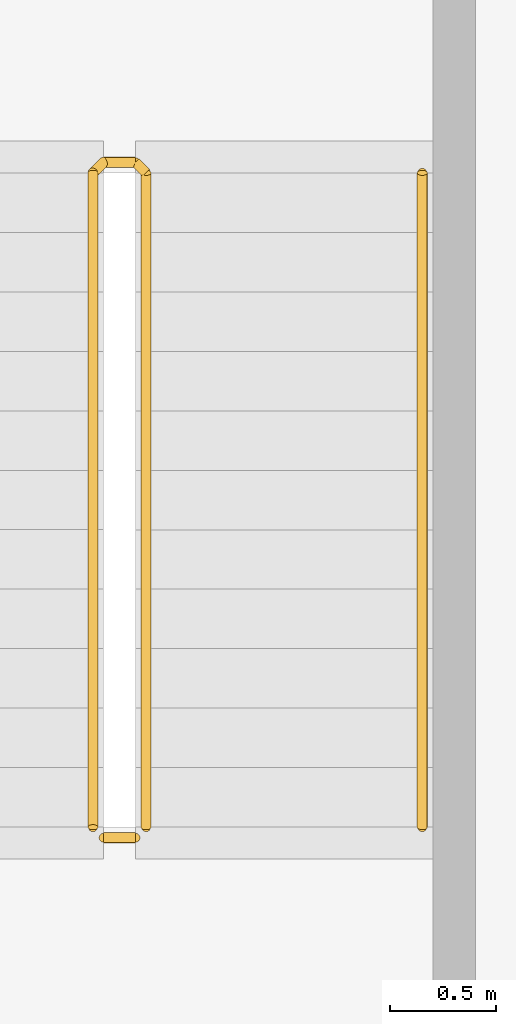
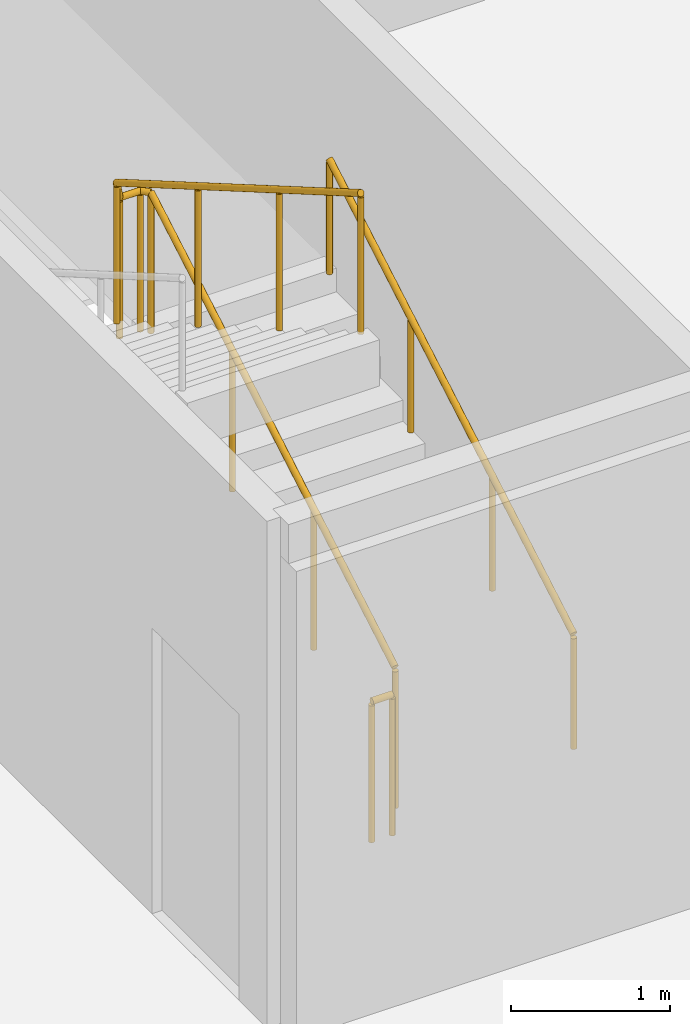
# One storey, part 29 of 30: 3 railings.
"""IFC4 building model written with IfcOpenShell, lengths in metres."""

import ifcopenshell
import ifcopenshell.guid

model = None  # the IFC model being written
_history = None  # IfcOwnerHistory: only IFC2X3 demands one
_inside = {}  # id of a spatial element -> (the spatial element, [elements in it])
_under = {}  # id of a project, library or spatial element -> (it, [spatial elements below it])
_declared = {}  # id of a project -> (the project, [libraries it declares])
_typed = {}  # id of a type object -> (the type object, [elements of that type])
_made_of = {}  # id of a material, layer set ... -> (it, [elements and type objects made of it])


def new_model(schema):
    """Start an empty IFC model of exactly this schema.

    Asked for "IFC4X3", IfcOpenShell would pick the latest addendum, in which some entities
    have other attributes; the version numbers below select the first issue.
    IFC2X3 requires an IfcOwnerHistory on every rooted entity: one is made here for all.
    """
    global model, _history
    if schema == "IFC4X3":
        model = ifcopenshell.file(schema_version=(4, 3, 0, 0))
    else:
        model = ifcopenshell.file(schema=schema)
    _inside.clear()
    _under.clear()
    _declared.clear()
    _typed.clear()
    _made_of.clear()
    _history = None
    if model.schema == "IFC2X3":
        org = make("IfcOrganization", Name="unknown")
        user = make(
            "IfcPersonAndOrganization",
            ThePerson=make("IfcPerson", FamilyName="unknown"),
            TheOrganization=org,
        )
        app = make(
            "IfcApplication",
            ApplicationDeveloper=org,
            Version="unknown",
            ApplicationFullName="unknown",
            ApplicationIdentifier="unknown",
        )
        _history = make(
            "IfcOwnerHistory",
            OwningUser=user,
            OwningApplication=app,
            ChangeAction="ADDED",
            CreationDate=0,
        )
    return model


def make(cls, **values):
    """One entity of the class cls with the attributes given. An attribute that is None is left unset."""
    return model.create_entity(
        cls, **{name: value for name, value in values.items() if value is not None}
    )


def rooted(cls, **values):
    """An entity with a GlobalId (a new one), such as an element, a storey or a relation."""
    return make(cls, GlobalId=ifcopenshell.guid.new(), OwnerHistory=_history, **values)


def si_unit(unit_type, name, prefix=None):
    """IfcSIUnit, for example si_unit("LENGTHUNIT", "METRE", prefix="MILLI")."""
    return make("IfcSIUnit", UnitType=unit_type, Prefix=prefix, Name=name)


def assignment(units):
    """IfcUnitAssignment: the units of a project."""
    return None if units is None else make("IfcUnitAssignment", Units=units)


def point(xyz):
    """IfcCartesianPoint."""
    return None if xyz is None else make("IfcCartesianPoint", Coordinates=xyz)


def direction(xyz):
    """IfcDirection."""
    return None if xyz is None else make("IfcDirection", DirectionRatios=xyz)


def frame(location, z_axis=None, x_axis=None):
    """IfcAxis2Placement3D, a coordinate frame: its origin and axes. An axis left out is left unset."""
    return make(
        "IfcAxis2Placement3D",
        Location=point(location),
        Axis=direction(z_axis),
        RefDirection=direction(x_axis),
    )


def frame_2d(location, x_axis=None):
    """IfcAxis2Placement2D, a coordinate frame in the plane: its origin and x axis."""
    return make(
        "IfcAxis2Placement2D", Location=point(location), RefDirection=direction(x_axis)
    )


def origin():
    """The frame at (0, 0, 0) with its axes left unset."""
    return frame((0.0, 0.0, 0.0))


def origin_2d():
    """The frame at (0, 0) in the plane with its x axis left unset."""
    return frame_2d((0.0, 0.0))


def place(relative_to, where):
    """IfcLocalPlacement: puts the frame where relative to a parent placement (None: the world)."""
    return make(
        "IfcLocalPlacement", PlacementRelTo=relative_to, RelativePlacement=where
    )


def context(
    kind, dimensions, precision=None, world=None, true_north=None, identifier=None
):
    """IfcGeometricRepresentationContext, for example the 3D "Model" context."""
    return make(
        "IfcGeometricRepresentationContext",
        ContextIdentifier=identifier,
        ContextType=kind,
        CoordinateSpaceDimension=dimensions,
        Precision=precision,
        WorldCoordinateSystem=world,
        TrueNorth=true_north,
    )


def subcontext(parent, identifier, kind, view, scale=None):
    """IfcGeometricRepresentationSubContext, for example "Body" below "Model"."""
    return make(
        "IfcGeometricRepresentationSubContext",
        ContextIdentifier=identifier,
        ContextType=kind,
        ParentContext=parent,
        TargetScale=scale,
        TargetView=view,
    )


def project(units=None, contexts=None):
    """IfcProject with its units and contexts."""
    return rooted(
        "IfcProject",
        Name="project",
        RepresentationContexts=contexts,
        UnitsInContext=assignment(units),
    )


def spatial(cls, under=None, at=None, **own):
    """A site, building, storey or space (cls), placed at a placement, below another one or the project."""
    s = rooted(cls, ObjectPlacement=at, **own)
    if under is not None:
        _under.setdefault(under.id(), (under, []))[1].append(s)
    return s


def profile(cls, at=None, kind="AREA", **sizes):
    """A parametric profile (cls). Its sizes go by their IFC names, for example OverallWidth=200.0."""
    return make(cls, ProfileType=kind, Position=at, **sizes)


def circle(**sizes):
    """IfcCircleProfileDef."""
    return profile("IfcCircleProfileDef", **sizes)


def extrude(swept, where, along, depth):
    """IfcExtrudedAreaSolid: the profile swept, set in the frame where, extruded along a direction by depth."""
    return make(
        "IfcExtrudedAreaSolid",
        SweptArea=swept,
        Position=where,
        ExtrudedDirection=direction(along),
        Depth=depth,
    )


def shape(context_of_items, identifier, shape_type, items):
    """IfcShapeRepresentation: the items that make up one representation, for example the "Body"."""
    return make(
        "IfcShapeRepresentation",
        ContextOfItems=context_of_items,
        RepresentationIdentifier=identifier,
        RepresentationType=shape_type,
        Items=items,
    )


def material(Name=None, Category=None):
    """IfcMaterial."""
    return make("IfcMaterial", Name=Name, Category=Category)


def made_of(thing, what):
    """Note that an element or type object is made of a material, layer set ...; save() writes the relation."""
    if what is not None:
        _made_of.setdefault(what.id(), (what, []))[1].append(thing)
    return thing


def type_object(cls, material=None, **own):
    """A type object (cls), such as IfcWallType, which elements share."""
    return made_of(rooted(cls, **own), material)


def element(
    cls,
    number,
    at=None,
    inside=None,
    cuts=None,
    type_object=None,
    material=None,
    context=None,
    identifier="Body",
    shape_type=None,
    held_by="IfcProductDefinitionShape",
    body=None,
    shapes=None,
    **own,
):
    """One element of the class cls, such as IfcWall. Its Tag is "e" and its number.

    at: its placement. inside: the storey or other place that contains it. cuts: it is an
    opening in that element (IfcRelVoidsElement). A single representation is given by context,
    identifier, shape_type and body (its items); several are given by shapes. held_by: the class
    of the entity that holds the representations. save() writes the other relations.
    """
    e = rooted(cls, Tag="e%d" % number, ObjectPlacement=at, **own)
    if body is not None:
        shapes = [shape(context, identifier, shape_type, body)]
    if shapes is not None:
        e.Representation = make(held_by, Representations=shapes)
    if inside is not None:
        _inside.setdefault(inside.id(), (inside, []))[1].append(e)
    if cuts is not None:
        rooted(
            "IfcRelVoidsElement", RelatingBuildingElement=cuts, RelatedOpeningElement=e
        )
    if type_object is not None:
        _typed.setdefault(type_object.id(), (type_object, []))[1].append(e)
    return made_of(e, material)


def aggregate(whole, parts):
    """IfcRelAggregates: a whole, such as a stair, and the parts it consists of."""
    return rooted("IfcRelAggregates", RelatingObject=whole, RelatedObjects=parts)


def save(model, path):
    """Write the relations noted so far, then the file.

    IfcRelAggregates (storeys below a building ...), IfcRelContainedInSpatialStructure (elements
    in a storey), IfcRelDefinesByType, IfcRelAssociatesMaterial and IfcRelDeclares: one each for
    every whole, place, type object, material and project.
    """
    for whole, parts in _under.values():
        aggregate(whole, parts)
    for where, things in _inside.values():
        rooted(
            "IfcRelContainedInSpatialStructure",
            RelatedElements=things,
            RelatingStructure=where,
        )
    for kind, things in _typed.values():
        rooted("IfcRelDefinesByType", RelatedObjects=things, RelatingType=kind)
    for what, things in _made_of.values():
        rooted("IfcRelAssociatesMaterial", RelatedObjects=things, RelatingMaterial=what)
    for by, libraries in _declared.values():
        rooted("IfcRelDeclares", RelatingContext=by, RelatedDefinitions=libraries)
    model.write(path)


model = new_model("IFC4")

# Units and contexts
model_context = context("Model", 3, precision=1e-05, world=origin(), true_north=direction((0.0, 1.0)))
body_context = subcontext(model_context, "Body", "Model", "MODEL_VIEW")
ifc_project = project(units=[si_unit("LENGTHUNIT", "METRE"), si_unit("AREAUNIT", "SQUARE_METRE"), si_unit("VOLUMEUNIT", "CUBIC_METRE"), si_unit("PLANEANGLEUNIT", "RADIAN"), si_unit("MASSUNIT", "GRAM", prefix="KILO")], contexts=[model_context])

# Site, building, storey
site_placement = place(None, origin())
site = spatial("IfcSite", under=ifc_project, at=site_placement, CompositionType="ELEMENT")
building_placement = place(site_placement, origin())
building = spatial("IfcBuilding", under=site, at=building_placement, Name="Kheshtan School and Residences Tower", CompositionType="ELEMENT")
storey_placement = place(building_placement, frame((0.0, 0.0, 195.5)))
storey = spatial("IfcBuildingStorey", under=building, at=storey_placement, Name="L46", CompositionType="ELEMENT", Elevation=195.5)

# Railings
ifc_material_1 = material(Name="Stainless steel balustrade", Category="steel")
railing_type_1 = type_object("IfcRailingType", Name="Stair guard 1100", PredefinedType="GUARDRAIL", material=ifc_material_1)
railing_1_placement = place(storey_placement, frame((35.0, 80.89990234375, 0.16259765625)))
element("IfcRailing", 1, at=railing_1_placement, inside=storey, type_object=railing_type_1, Name="L46 ST3 stair guard 1", PredefinedType="GUARDRAIL", context=body_context, shape_type="SweptSolid", body=[
    extrude(circle(Radius=0.02392578125, at=origin_2d()), frame((0.0, 0.0, 1.076171875), z_axis=(0.0, 0.864920483161, 0.501908913857), x_axis=(-1.0, 0.0, 0.0)), (0.0, 0.0, 1.0), 3.56103515625),
    extrude(circle(Radius=0.02392578125, at=origin_2d()), frame((0.0, 3.080078125, 2.86328125), z_axis=(-0.707106781187, 0.707106781187, 0.0), x_axis=(-0.707106781187, -0.707106781187, 0.0)), (0.0, 0.0, 1.0), 0.07080078125),
    extrude(circle(Radius=0.02392578125, at=origin_2d()), frame((-0.050048828125, 3.130126953125, 2.86328125), z_axis=(-1.0, 0.0, 0.0), x_axis=(0.0, -1.0, 0.0)), (0.0, 0.0, 1.0), 0.14990234375),
    extrude(circle(Radius=0.02392578125, at=origin_2d()), frame((-0.199951171875, 3.130126953125, 2.86328125), z_axis=(-0.282227285176, -0.282227285176, 0.916894497205), x_axis=(0.707106781187, -0.707106781187, 0.0)), (0.0, 0.0, 1.0), 0.17724609375),
    extrude(circle(Radius=0.02392578125, at=origin_2d()), frame((-0.25, 3.080078125, 3.02587890625), z_axis=(0.0, -0.864920483161, 0.501908913857), x_axis=(1.0, 0.0, 0.0)), (0.0, 0.0, 1.0), 3.56103515625),
    extrude(circle(Radius=0.02099609375, at=origin_2d()), origin(), (0.0, 0.0, 1.0), 1.052001953125),
    extrude(circle(Radius=0.02099609375, at=origin_2d()), frame((0.0, 1.026611328125, 0.595703125)), (0.0, 0.0, 1.0), 1.052001953125),
    extrude(circle(Radius=0.02099609375, at=origin_2d()), frame((0.0, 2.053466796875, 1.191650390625)), (0.0, 0.0, 1.0), 1.052001953125),
    extrude(circle(Radius=0.02099609375, at=origin_2d()), frame((0.0, 3.080078125, 1.787353515625)), (0.0, 0.0, 1.0), 1.052001953125),
    extrude(circle(Radius=0.02099609375, at=origin_2d()), frame((-0.050048828125, 3.130126953125, 1.787353515625)), (0.0, 0.0, 1.0), 1.052001953125),
    extrude(circle(Radius=0.02099609375, at=origin_2d()), frame((-0.199951171875, 3.130126953125, 1.787353515625)), (0.0, 0.0, 1.0), 1.052001953125),
    extrude(circle(Radius=0.02099609375, at=origin_2d()), frame((-0.25, 3.080078125, 1.949951171875)), (0.0, 0.0, 1.0), 1.052001953125),
    extrude(circle(Radius=0.02099609375, at=origin_2d()), frame((-0.25, 2.053466796875, 2.545654296875)), (0.0, 0.0, 1.0), 1.052001953125),
    extrude(circle(Radius=0.02099609375, at=origin_2d()), frame((-0.25, 1.026611328125, 3.1416015625)), (0.0, 0.0, 1.0), 1.052001953125),
    extrude(circle(Radius=0.02099609375, at=origin_2d()), frame((-0.25, 0.0, 3.7373046875)), (0.0, 0.0, 1.0), 1.052001953125),
])
railing_2_placement = place(storey_placement, frame((34.949951171875, 80.85009765625, 0.0)))
element("IfcRailing", 2, at=railing_2_placement, inside=storey, type_object=railing_type_1, Name="L46 ST3 stair guard 2", PredefinedType="GUARDRAIL", context=body_context, shape_type="SweptSolid", body=[
    extrude(circle(Radius=0.02392578125, at=origin_2d()), frame((0.0, 0.0, 1.076171875), z_axis=(-1.0, 0.0, 0.0), x_axis=(0.0, -1.0, 0.0)), (0.0, 0.0, 1.0), 0.14990234375),
    extrude(circle(Radius=0.02099609375, at=origin_2d()), origin(), (0.0, 0.0, 1.0), 1.052001953125),
    extrude(circle(Radius=0.02099609375, at=origin_2d()), frame((-0.14990234375, 0.0, 0.0)), (0.0, 0.0, 1.0), 1.052001953125),
])
ifc_material_2 = material(Name="Stainless steel handrail", Category="steel")
railing_type_2 = type_object("IfcRailingType", Name="Stair handrail 900", PredefinedType="HANDRAIL", material=ifc_material_2)
railing_3_placement = place(storey_placement, frame((36.300048828125, 80.89990234375, 0.16259765625)))
element("IfcRailing", 3, at=railing_3_placement, inside=storey, type_object=railing_type_2, Name="L46 ST3 stair handrail 1", PredefinedType="HANDRAIL", context=body_context, shape_type="SweptSolid", body=[
    extrude(circle(Radius=0.02392578125, at=origin_2d()), frame((0.0, 0.0, 0.8759765625), z_axis=(0.0, 0.864920483161, 0.501908913857), x_axis=(-1.0, 0.0, 0.0)), (0.0, 0.0, 1.0), 3.56103515625),
    extrude(circle(Radius=0.02099609375, at=origin_2d()), origin(), (0.0, 0.0, 1.0), 0.851806640625),
    extrude(circle(Radius=0.02099609375, at=origin_2d()), frame((0.0, 1.026611328125, 0.595703125)), (0.0, 0.0, 1.0), 0.851806640625),
    extrude(circle(Radius=0.02099609375, at=origin_2d()), frame((0.0, 2.053466796875, 1.191650390625)), (0.0, 0.0, 1.0), 0.851806640625),
    extrude(circle(Radius=0.02099609375, at=origin_2d()), frame((0.0, 3.080078125, 1.787353515625)), (0.0, 0.0, 1.0), 0.851806640625),
])

save(model, "model.ifc")
